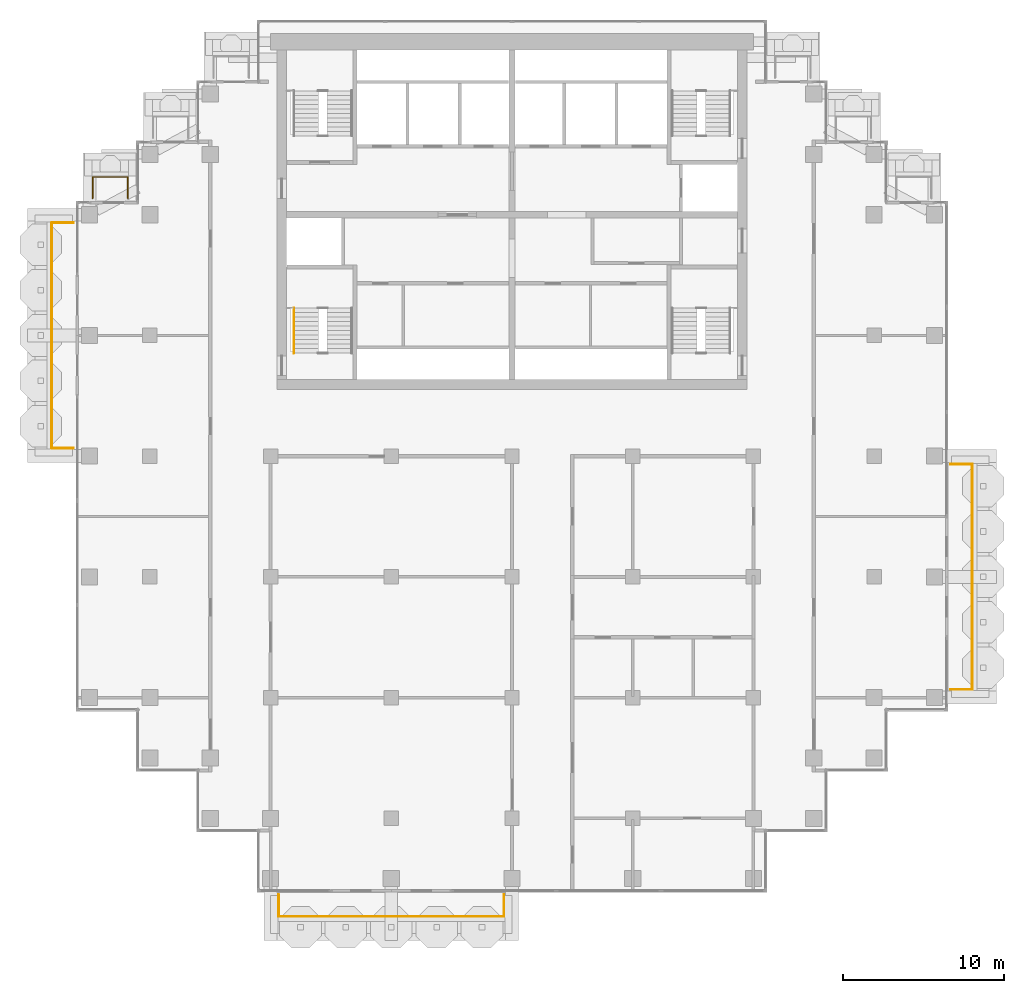
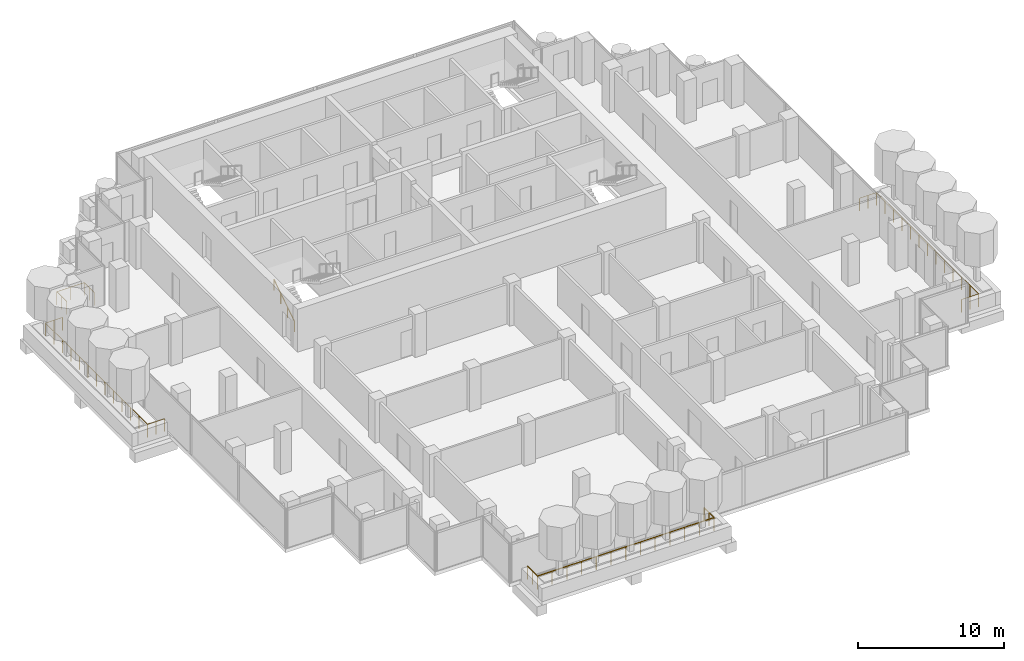
# One storey, part 16 of 18: 5 railings.
"""IFC4 building model written with IfcOpenShell, lengths in metres."""

from ifc_helpers import new_model, si_unit, direction, frame, origin, origin_2d, place, context, subcontext, project, spatial, circle, extrude, material, type_object, element, save


model = new_model("IFC4")

# Units and contexts
model_context = context("Model", 3, precision=1e-05, world=origin(), true_north=direction((0.0, 1.0)))
body_context = subcontext(model_context, "Body", "Model", "MODEL_VIEW")
ifc_project = project(units=[si_unit("LENGTHUNIT", "METRE"), si_unit("AREAUNIT", "SQUARE_METRE"), si_unit("VOLUMEUNIT", "CUBIC_METRE"), si_unit("PLANEANGLEUNIT", "RADIAN"), si_unit("MASSUNIT", "GRAM", prefix="KILO")], contexts=[model_context])

# Site, building, storey
site_placement = place(None, origin())
site = spatial("IfcSite", under=ifc_project, at=site_placement, CompositionType="ELEMENT")
building_placement = place(site_placement, origin())
building = spatial("IfcBuilding", under=site, at=building_placement, Name="Pilkhan Gate Tower", CompositionType="ELEMENT")
storey_placement = place(building_placement, frame((0.0, 0.0, 221.10009765625)))
storey = spatial("IfcBuildingStorey", under=building, at=storey_placement, Name="L57", CompositionType="ELEMENT", Elevation=221.10009765625)

# Railings
ifc_material_1 = material(Name="Pale anodised aluminium posts, laminated glass infill", Category="aluminium")
railing_type_1 = type_object("IfcRailingType", Name="Balcony guard G1", PredefinedType="BALUSTRADE", material=ifc_material_1)
railing_1_placement = place(storey_placement, frame((60.5, 40.25, 0.0)))
element("IfcRailing", 1, at=railing_1_placement, inside=storey, type_object=railing_type_1, Name="Balcony guard L57 S", PredefinedType="BALUSTRADE", context=body_context, shape_type="SweptSolid", body=[
    extrude(circle(Radius=0.02392578125, at=origin_2d()), frame((0.0, 0.0, 1.076171875), z_axis=(0.0, -1.0, 0.0), x_axis=(1.0, 0.0, 0.0)), (0.0, 0.0, 1.0), 1.35009765625),
    extrude(circle(Radius=0.02392578125, at=origin_2d()), frame((0.0, -1.35009765625, 1.076171875), z_axis=(1.0, 0.0, 0.0), x_axis=(0.0, 1.0, 0.0)), (0.0, 0.0, 1.0), 14.0),
    extrude(circle(Radius=0.02392578125, at=origin_2d()), frame((14.0, -1.35009765625, 1.076171875), z_axis=(0.0, 1.0, 0.0), x_axis=(-1.0, 0.0, 0.0)), (0.0, 0.0, 1.0), 1.35009765625),
    extrude(circle(Radius=0.02099609375, at=origin_2d()), origin(), (0.0, 0.0, 1.0), 1.052001953125),
    extrude(circle(Radius=0.02099609375, at=origin_2d()), frame((0.0, -0.675048828125, 0.0)), (0.0, 0.0, 1.0), 1.052001953125),
    extrude(circle(Radius=0.02099609375, at=origin_2d()), frame((0.0, -1.35009765625, 0.0)), (0.0, 0.0, 1.0), 1.052001953125),
    extrude(circle(Radius=0.02099609375, at=origin_2d()), frame((1.166748046875, -1.35009765625, 0.0)), (0.0, 0.0, 1.0), 1.052001953125),
    extrude(circle(Radius=0.02099609375, at=origin_2d()), frame((2.333251953125, -1.35009765625, 0.0)), (0.0, 0.0, 1.0), 1.052001953125),
    extrude(circle(Radius=0.02099609375, at=origin_2d()), frame((3.5, -1.35009765625, 0.0)), (0.0, 0.0, 1.0), 1.052001953125),
    extrude(circle(Radius=0.02099609375, at=origin_2d()), frame((4.666748046875, -1.35009765625, 0.0)), (0.0, 0.0, 1.0), 1.052001953125),
    extrude(circle(Radius=0.02099609375, at=origin_2d()), frame((5.833251953125, -1.35009765625, 0.0)), (0.0, 0.0, 1.0), 1.052001953125),
    extrude(circle(Radius=0.02099609375, at=origin_2d()), frame((7.0, -1.35009765625, 0.0)), (0.0, 0.0, 1.0), 1.052001953125),
    extrude(circle(Radius=0.02099609375, at=origin_2d()), frame((8.166748046875, -1.35009765625, 0.0)), (0.0, 0.0, 1.0), 1.052001953125),
    extrude(circle(Radius=0.02099609375, at=origin_2d()), frame((9.333251953125, -1.35009765625, 0.0)), (0.0, 0.0, 1.0), 1.052001953125),
    extrude(circle(Radius=0.02099609375, at=origin_2d()), frame((10.5, -1.35009765625, 0.0)), (0.0, 0.0, 1.0), 1.052001953125),
    extrude(circle(Radius=0.02099609375, at=origin_2d()), frame((11.666748046875, -1.35009765625, 0.0)), (0.0, 0.0, 1.0), 1.052001953125),
    extrude(circle(Radius=0.02099609375, at=origin_2d()), frame((12.833251953125, -1.35009765625, 0.0)), (0.0, 0.0, 1.0), 1.052001953125),
    extrude(circle(Radius=0.02099609375, at=origin_2d()), frame((14.0, -1.35009765625, 0.0)), (0.0, 0.0, 1.0), 1.052001953125),
    extrude(circle(Radius=0.02099609375, at=origin_2d()), frame((14.0, -0.675048828125, 0.0)), (0.0, 0.0, 1.0), 1.052001953125),
    extrude(circle(Radius=0.02099609375, at=origin_2d()), frame((14.0, 0.0, 0.0)), (0.0, 0.0, 1.0), 1.052001953125),
])
railing_2_placement = place(storey_placement, frame((102.25, 53.0, 0.0)))
element("IfcRailing", 2, at=railing_2_placement, inside=storey, type_object=railing_type_1, Name="Balcony guard L57 E", PredefinedType="BALUSTRADE", context=body_context, shape_type="SweptSolid", body=[
    extrude(circle(Radius=0.02392578125, at=origin_2d()), frame((0.0, 0.0, 1.076171875), z_axis=(1.0, 0.0, 0.0), x_axis=(0.0, 1.0, 0.0)), (0.0, 0.0, 1.0), 1.35009765625),
    extrude(circle(Radius=0.02392578125, at=origin_2d()), frame((1.35009765625, 0.0, 1.076171875), z_axis=(0.0, 1.0, 0.0), x_axis=(-1.0, 0.0, 0.0)), (0.0, 0.0, 1.0), 14.0),
    extrude(circle(Radius=0.02392578125, at=origin_2d()), frame((1.35009765625, 14.0, 1.076171875), z_axis=(-1.0, 0.0, 0.0), x_axis=(0.0, -1.0, 0.0)), (0.0, 0.0, 1.0), 1.35009765625),
    extrude(circle(Radius=0.02099609375, at=origin_2d()), origin(), (0.0, 0.0, 1.0), 1.052001953125),
    extrude(circle(Radius=0.02099609375, at=origin_2d()), frame((0.675048828125, 0.0, 0.0)), (0.0, 0.0, 1.0), 1.052001953125),
    extrude(circle(Radius=0.02099609375, at=origin_2d()), frame((1.35009765625, 0.0, 0.0)), (0.0, 0.0, 1.0), 1.052001953125),
    extrude(circle(Radius=0.02099609375, at=origin_2d()), frame((1.35009765625, 1.166748046875, 0.0)), (0.0, 0.0, 1.0), 1.052001953125),
    extrude(circle(Radius=0.02099609375, at=origin_2d()), frame((1.35009765625, 2.333251953125, 0.0)), (0.0, 0.0, 1.0), 1.052001953125),
    extrude(circle(Radius=0.02099609375, at=origin_2d()), frame((1.35009765625, 3.5, 0.0)), (0.0, 0.0, 1.0), 1.052001953125),
    extrude(circle(Radius=0.02099609375, at=origin_2d()), frame((1.35009765625, 4.666748046875, 0.0)), (0.0, 0.0, 1.0), 1.052001953125),
    extrude(circle(Radius=0.02099609375, at=origin_2d()), frame((1.35009765625, 5.833251953125, 0.0)), (0.0, 0.0, 1.0), 1.052001953125),
    extrude(circle(Radius=0.02099609375, at=origin_2d()), frame((1.35009765625, 7.0, 0.0)), (0.0, 0.0, 1.0), 1.052001953125),
    extrude(circle(Radius=0.02099609375, at=origin_2d()), frame((1.35009765625, 8.166748046875, 0.0)), (0.0, 0.0, 1.0), 1.052001953125),
    extrude(circle(Radius=0.02099609375, at=origin_2d()), frame((1.35009765625, 9.333251953125, 0.0)), (0.0, 0.0, 1.0), 1.052001953125),
    extrude(circle(Radius=0.02099609375, at=origin_2d()), frame((1.35009765625, 10.5, 0.0)), (0.0, 0.0, 1.0), 1.052001953125),
    extrude(circle(Radius=0.02099609375, at=origin_2d()), frame((1.35009765625, 11.666748046875, 0.0)), (0.0, 0.0, 1.0), 1.052001953125),
    extrude(circle(Radius=0.02099609375, at=origin_2d()), frame((1.35009765625, 12.833251953125, 0.0)), (0.0, 0.0, 1.0), 1.052001953125),
    extrude(circle(Radius=0.02099609375, at=origin_2d()), frame((1.35009765625, 14.0, 0.0)), (0.0, 0.0, 1.0), 1.052001953125),
    extrude(circle(Radius=0.02099609375, at=origin_2d()), frame((0.675048828125, 14.0, 0.0)), (0.0, 0.0, 1.0), 1.052001953125),
    extrude(circle(Radius=0.02099609375, at=origin_2d()), frame((0.0, 14.0, 0.0)), (0.0, 0.0, 1.0), 1.052001953125),
])
railing_3_placement = place(storey_placement, frame((48.949951171875, 83.52001953125, 0.0)))
element("IfcRailing", 3, at=railing_3_placement, inside=storey, type_object=railing_type_1, Name="Balcony guard L57 N", PredefinedType="BALUSTRADE", context=body_context, shape_type="SweptSolid", body=[
    extrude(circle(Radius=0.02392578125, at=origin_2d()), frame((0.0, 0.0, 1.076171875), z_axis=(0.0, 1.0, 0.0), x_axis=(-1.0, 0.0, 0.0)), (0.0, 0.0, 1.0), 1.330078125),
    extrude(circle(Radius=0.02392578125, at=origin_2d()), frame((0.0, 1.330078125, 1.076171875), z_axis=(1.0, 0.0, 0.0), x_axis=(0.0, 1.0, 0.0)), (0.0, 0.0, 1.0), 2.179931640625),
    extrude(circle(Radius=0.02392578125, at=origin_2d()), frame((2.179931640625, 1.330078125, 1.076171875), z_axis=(0.0, -1.0, 0.0), x_axis=(1.0, 0.0, 0.0)), (0.0, 0.0, 1.0), 1.330078125),
    extrude(circle(Radius=0.02099609375, at=origin_2d()), origin(), (0.0, 0.0, 1.0), 1.052001953125),
    extrude(circle(Radius=0.02099609375, at=origin_2d()), frame((0.0, 0.6650390625, 0.0)), (0.0, 0.0, 1.0), 1.052001953125),
    extrude(circle(Radius=0.02099609375, at=origin_2d()), frame((0.0, 1.330078125, 0.0)), (0.0, 0.0, 1.0), 1.052001953125),
    extrude(circle(Radius=0.02099609375, at=origin_2d()), frame((1.08984375, 1.330078125, 0.0)), (0.0, 0.0, 1.0), 1.052001953125),
    extrude(circle(Radius=0.02099609375, at=origin_2d()), frame((2.179931640625, 1.330078125, 0.0)), (0.0, 0.0, 1.0), 1.052001953125),
    extrude(circle(Radius=0.02099609375, at=origin_2d()), frame((2.179931640625, 0.6650390625, 0.0)), (0.0, 0.0, 1.0), 1.052001953125),
    extrude(circle(Radius=0.02099609375, at=origin_2d()), frame((2.179931640625, 0.0, 0.0)), (0.0, 0.0, 1.0), 1.052001953125),
])
railing_4_placement = place(storey_placement, frame((47.75, 68.0, 0.0)))
element("IfcRailing", 4, at=railing_4_placement, inside=storey, type_object=railing_type_1, Name="Balcony guard L57 W", PredefinedType="BALUSTRADE", context=body_context, shape_type="SweptSolid", body=[
    extrude(circle(Radius=0.02392578125, at=origin_2d()), frame((0.0, 0.0, 1.076171875), z_axis=(-1.0, 0.0, 0.0), x_axis=(0.0, -1.0, 0.0)), (0.0, 0.0, 1.0), 1.35009765625),
    extrude(circle(Radius=0.02392578125, at=origin_2d()), frame((-1.35009765625, 0.0, 1.076171875), z_axis=(0.0, 1.0, 0.0), x_axis=(-1.0, 0.0, 0.0)), (0.0, 0.0, 1.0), 14.0),
    extrude(circle(Radius=0.02392578125, at=origin_2d()), frame((-1.35009765625, 14.0, 1.076171875), z_axis=(1.0, 0.0, 0.0), x_axis=(0.0, 1.0, 0.0)), (0.0, 0.0, 1.0), 1.35009765625),
    extrude(circle(Radius=0.02099609375, at=origin_2d()), origin(), (0.0, 0.0, 1.0), 1.052001953125),
    extrude(circle(Radius=0.02099609375, at=origin_2d()), frame((-0.675048828125, 0.0, 0.0)), (0.0, 0.0, 1.0), 1.052001953125),
    extrude(circle(Radius=0.02099609375, at=origin_2d()), frame((-1.35009765625, 0.0, 0.0)), (0.0, 0.0, 1.0), 1.052001953125),
    extrude(circle(Radius=0.02099609375, at=origin_2d()), frame((-1.35009765625, 1.166748046875, 0.0)), (0.0, 0.0, 1.0), 1.052001953125),
    extrude(circle(Radius=0.02099609375, at=origin_2d()), frame((-1.35009765625, 2.333251953125, 0.0)), (0.0, 0.0, 1.0), 1.052001953125),
    extrude(circle(Radius=0.02099609375, at=origin_2d()), frame((-1.35009765625, 3.5, 0.0)), (0.0, 0.0, 1.0), 1.052001953125),
    extrude(circle(Radius=0.02099609375, at=origin_2d()), frame((-1.35009765625, 4.666748046875, 0.0)), (0.0, 0.0, 1.0), 1.052001953125),
    extrude(circle(Radius=0.02099609375, at=origin_2d()), frame((-1.35009765625, 5.833251953125, 0.0)), (0.0, 0.0, 1.0), 1.052001953125),
    extrude(circle(Radius=0.02099609375, at=origin_2d()), frame((-1.35009765625, 7.0, 0.0)), (0.0, 0.0, 1.0), 1.052001953125),
    extrude(circle(Radius=0.02099609375, at=origin_2d()), frame((-1.35009765625, 8.166748046875, 0.0)), (0.0, 0.0, 1.0), 1.052001953125),
    extrude(circle(Radius=0.02099609375, at=origin_2d()), frame((-1.35009765625, 9.333251953125, 0.0)), (0.0, 0.0, 1.0), 1.052001953125),
    extrude(circle(Radius=0.02099609375, at=origin_2d()), frame((-1.35009765625, 10.5, 0.0)), (0.0, 0.0, 1.0), 1.052001953125),
    extrude(circle(Radius=0.02099609375, at=origin_2d()), frame((-1.35009765625, 11.666748046875, 0.0)), (0.0, 0.0, 1.0), 1.052001953125),
    extrude(circle(Radius=0.02099609375, at=origin_2d()), frame((-1.35009765625, 12.833251953125, 0.0)), (0.0, 0.0, 1.0), 1.052001953125),
    extrude(circle(Radius=0.02099609375, at=origin_2d()), frame((-1.35009765625, 14.0, 0.0)), (0.0, 0.0, 1.0), 1.052001953125),
    extrude(circle(Radius=0.02099609375, at=origin_2d()), frame((-0.675048828125, 14.0, 0.0)), (0.0, 0.0, 1.0), 1.052001953125),
    extrude(circle(Radius=0.02099609375, at=origin_2d()), frame((0.0, 14.0, 0.0)), (0.0, 0.0, 1.0), 1.052001953125),
])
ifc_material_2 = material(Name="Black powder-coated steel tube", Category="steel")
railing_type_2 = type_object("IfcRailingType", Name="Stair handrail HR1", PredefinedType="HANDRAIL", material=ifc_material_2)
railing_5_placement = place(storey_placement, frame((61.449951171875, 73.89990234375, 0.0)))
element("IfcRailing", 5, at=railing_5_placement, inside=storey, type_object=railing_type_2, Name="Stair ST2 handrail L57", PredefinedType="HANDRAIL", context=body_context, shape_type="SweptSolid", body=[
    extrude(circle(Radius=0.02392578125, at=origin_2d()), frame((0.0, 0.0, 0.8759765625), z_axis=(0.0, 0.841209454229, 0.540709398952), x_axis=(-1.0, 0.0, 0.0)), (0.0, 0.0, 1.0), 3.32861328125),
    extrude(circle(Radius=0.02099609375, at=origin_2d()), origin(), (0.0, 0.0, 1.0), 0.851806640625),
    extrude(circle(Radius=0.02099609375, at=origin_2d()), frame((0.0, 0.933349609375, 0.599853515625)), (0.0, 0.0, 1.0), 0.851806640625),
    extrude(circle(Radius=0.02099609375, at=origin_2d()), frame((0.0, 1.86669921875, 1.199951171875)), (0.0, 0.0, 1.0), 0.851806640625),
    extrude(circle(Radius=0.02099609375, at=origin_2d()), frame((0.0, 2.800048828125, 1.7998046875)), (0.0, 0.0, 1.0), 0.851806640625),
])

save(model, "model.ifc")
